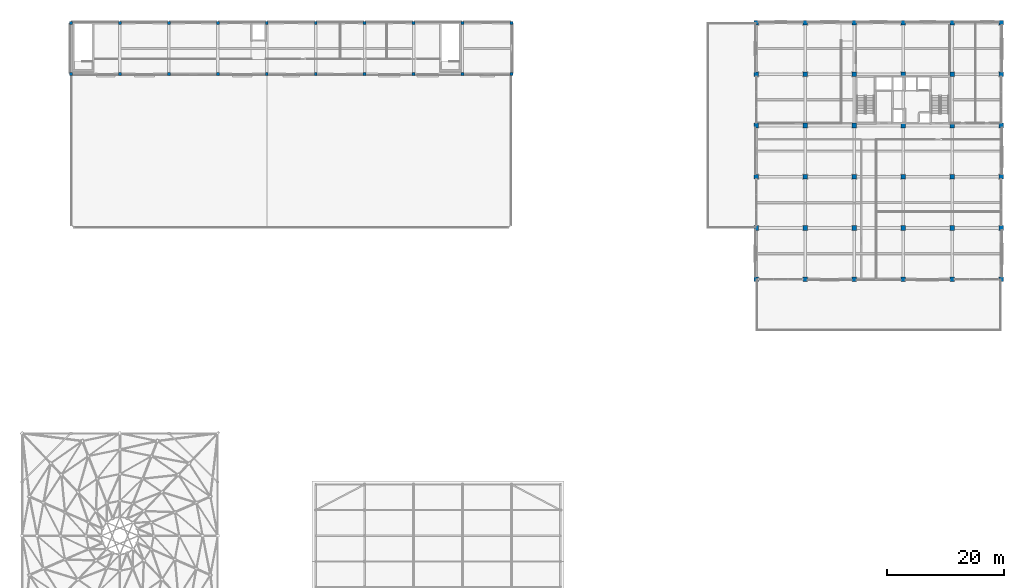
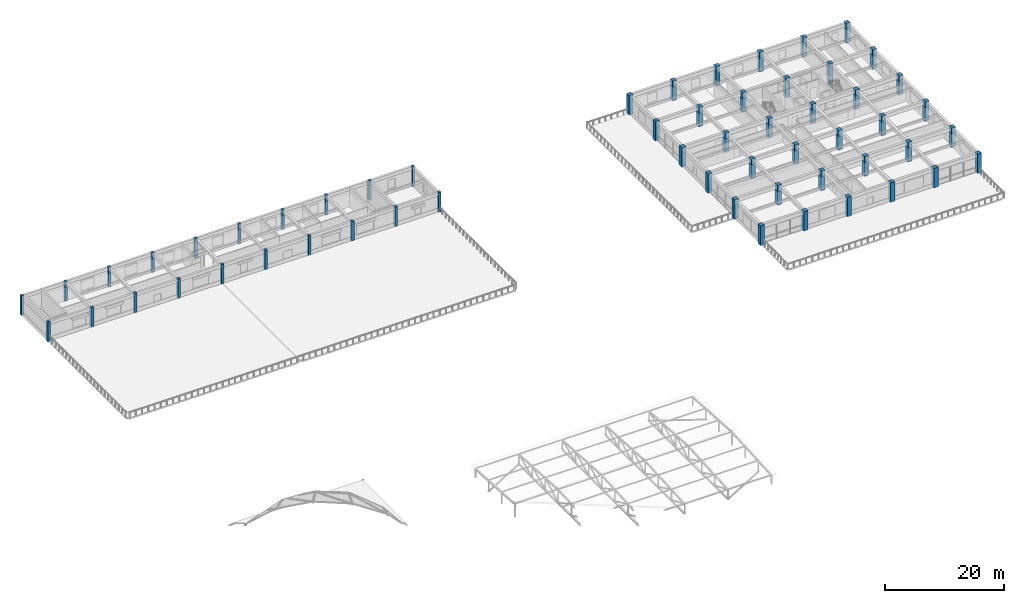
# One storey, part 1 of 49: 56 columns.
"""IFC4 building model written with IfcOpenShell, lengths in metres."""

from ifc_helpers import new_model, si_unit, direction, frame, origin, origin_2d, place, context, subcontext, project, spatial, rectangle, extrude, material, material_profile, profile_set, type_object, element, save


model = new_model("IFC4")

# Units and contexts
model_context = context("Model", 3, precision=1e-05, world=origin(), true_north=direction((0.0, 1.0)))
body_context = subcontext(model_context, "Body", "Model", "MODEL_VIEW")
ifc_project = project(units=[si_unit("LENGTHUNIT", "METRE"), si_unit("AREAUNIT", "SQUARE_METRE"), si_unit("VOLUMEUNIT", "CUBIC_METRE"), si_unit("PLANEANGLEUNIT", "RADIAN"), si_unit("MASSUNIT", "GRAM", prefix="KILO")], contexts=[model_context])

# Site, building, storey
site_placement = place(None, origin())
site = spatial("IfcSite", under=ifc_project, at=site_placement, CompositionType="ELEMENT")
building_placement = place(site_placement, origin())
building = spatial("IfcBuilding", under=site, at=building_placement, Name="Kemercrest Conservatory and Botanical Centre", CompositionType="ELEMENT")
storey_placement = place(building_placement, frame((0.0, 0.0, 13.199951171875)))
storey = spatial("IfcBuildingStorey", under=building, at=storey_placement, Name="L03", CompositionType="ELEMENT", Elevation=13.199951171875)

# Columns
ifc_material_1 = material(Name="Concrete C40/50", Category="concrete")
ifc_material_profile_1 = material_profile(ifc_material_1, rectangle(XDim=0.5, YDim=0.5, at=origin_2d()), Name="RC 500x500")
ifc_profile_set_1 = profile_set([ifc_material_profile_1], Name="Concrete C40/50")
column_type_1 = type_object("IfcColumnType", Name="C-RC50", PredefinedType="COLUMN", material=ifc_profile_set_1)
for number, where, z_axis, x_axis, name in (
    (1, (16.39990234375, 113.60009765625, 0.0), (0.0, 0.0, 1.0), (1.0, 0.0, 0.0), "Terrace Pavilion column 02/N"),
    (2, (16.39990234375, 122.39990234375, 0.0), (0.0, 0.0, 1.0), (1.0, 0.0, 0.0), "Terrace Pavilion column 02/P"),
    (3, (24.800048828125, 113.60009765625, 0.0), (0.0, 0.0, 1.0), (1.0, 0.0, 0.0), "Terrace Pavilion column 03/N"),
    (4, (24.800048828125, 122.39990234375, 0.0), (0.0, 0.0, 1.0), (1.0, 0.0, 0.0), "Terrace Pavilion column 03/P"),
    (5, (33.199951171875, 113.60009765625, 0.0), (0.0, 0.0, 1.0), (1.0, 0.0, 0.0), "Terrace Pavilion column 04/N"),
    (6, (33.199951171875, 122.39990234375, 0.0), (0.0, 0.0, 1.0), (1.0, 0.0, 0.0), "Terrace Pavilion column 04/P"),
    (7, (41.60009765625, 113.60009765625, 0.0), (0.0, 0.0, 1.0), (1.0, 0.0, 0.0), "Terrace Pavilion column 05/N"),
    (8, (41.60009765625, 122.39990234375, 0.0), (0.0, 0.0, 1.0), (1.0, 0.0, 0.0), "Terrace Pavilion column 05/P"),
    (9, (50.0, 113.60009765625, 0.0), (0.0, 0.0, 1.0), (1.0, 0.0, 0.0), "Terrace Pavilion column 06/N"),
    (10, (50.0, 122.39990234375, 0.0), (0.0, 0.0, 1.0), (1.0, 0.0, 0.0), "Terrace Pavilion column 06/P"),
    (11, (58.39990234375, 113.60009765625, 0.0), (0.0, 0.0, 1.0), (1.0, 0.0, 0.0), "Terrace Pavilion column 07/N"),
    (12, (58.39990234375, 122.39990234375, 0.0), (0.0, 0.0, 1.0), (1.0, 0.0, 0.0), "Terrace Pavilion column 07/P"),
    (13, (66.800048828125, 113.60009765625, 0.0), (0.0, 0.0, 1.0), (1.0, 0.0, 0.0), "Terrace Pavilion column 08/N"),
    (14, (66.800048828125, 122.39990234375, 0.0), (0.0, 0.0, 1.0), (1.0, 0.0, 0.0), "Terrace Pavilion column 08/P"),
    (15, (75.199951171875, 113.60009765625, 0.0), (0.0, 0.0, 1.0), (1.0, 0.0, 0.0), "Terrace Pavilion column 09/N"),
    (16, (75.199951171875, 122.39990234375, 0.0), (0.0, 0.0, 1.0), (1.0, 0.0, 0.0), "Terrace Pavilion column 09/P"),
    (17, (83.60009765625, 113.60009765625, 0.0), (0.0, 0.0, 1.0), (1.0, 0.0, 0.0), "Terrace Pavilion column 10/N"),
    (18, (83.60009765625, 122.39990234375, 0.0), (0.0, 0.0, 1.0), (1.0, 0.0, 0.0), "Terrace Pavilion column 10/P"),
    (19, (92.0, 113.60009765625, 0.0), (0.0, 0.0, 1.0), (1.0, 0.0, 0.0), "Terrace Pavilion column 11/N"),
    (20, (92.0, 122.39990234375, 0.0), (0.0, 0.0, 1.0), (1.0, 0.0, 0.0), "Terrace Pavilion column 11/P"),
):
    element("IfcColumn", number, at=place(storey_placement, frame(where, z_axis=z_axis, x_axis=x_axis)), inside=storey, type_object=column_type_1, Name=name, PredefinedType="COLUMN", context=body_context, shape_type="SweptSolid", body=[
        extrude(rectangle(XDim=0.5, YDim=0.5, at=origin_2d()), origin(), (0.0, 0.0, 1.0), 4.0),
    ])
ifc_material_2 = material(Name="Concrete C50/60", Category="concrete")
ifc_material_profile_2 = material_profile(ifc_material_2, rectangle(XDim=0.800048828125, YDim=0.800048828125, at=origin_2d()), Name="RC 800x800")
ifc_profile_set_2 = profile_set([ifc_material_profile_2], Name="Concrete C50/60")
column_type_2 = type_object("IfcColumnType", Name="C-RC80", PredefinedType="COLUMN", material=ifc_profile_set_2)
for number, where, z_axis, x_axis, name in (
    (21, (134.0, 78.39990234375, 0.0), (0.0, 0.0, 1.0), (1.0, 0.0, 0.0), "Tower column C-RC80 16/J"),
    (22, (134.0, 87.199951171875, 0.0), (0.0, 0.0, 1.0), (1.0, 0.0, 0.0), "Tower column C-RC80 16/K"),
    (23, (134.0, 96.0, 0.0), (0.0, 0.0, 1.0), (1.0, 0.0, 0.0), "Tower column C-RC80 16/L"),
    (24, (134.0, 104.800048828125, 0.0), (0.0, 0.0, 1.0), (1.0, 0.0, 0.0), "Tower column C-RC80 16/M"),
    (25, (134.0, 113.60009765625, 0.0), (0.0, 0.0, 1.0), (1.0, 0.0, 0.0), "Tower column C-RC80 16/N"),
    (26, (134.0, 122.39990234375, 0.0), (0.0, 0.0, 1.0), (1.0, 0.0, 0.0), "Tower column C-RC80 16/P"),
    (27, (142.39990234375, 78.39990234375, 0.0), (0.0, 0.0, 1.0), (1.0, 0.0, 0.0), "Tower column C-RC80 17/J"),
    (28, (142.39990234375, 87.199951171875, 0.0), (0.0, 0.0, 1.0), (1.0, 0.0, 0.0), "Tower column C-RC80 17/K"),
    (29, (142.39990234375, 96.0, 0.0), (0.0, 0.0, 1.0), (1.0, 0.0, 0.0), "Tower column C-RC80 17/L"),
    (30, (142.39990234375, 104.800048828125, 0.0), (0.0, 0.0, 1.0), (1.0, 0.0, 0.0), "Tower column C-RC80 17/M"),
    (31, (142.39990234375, 113.60009765625, 0.0), (0.0, 0.0, 1.0), (1.0, 0.0, 0.0), "Tower column C-RC80 17/N"),
    (32, (142.39990234375, 122.39990234375, 0.0), (0.0, 0.0, 1.0), (1.0, 0.0, 0.0), "Tower column C-RC80 17/P"),
    (33, (150.800048828125, 78.39990234375, 0.0), (0.0, 0.0, 1.0), (1.0, 0.0, 0.0), "Tower column C-RC80 18/J"),
    (34, (150.800048828125, 87.199951171875, 0.0), (0.0, 0.0, 1.0), (1.0, 0.0, 0.0), "Tower column C-RC80 18/K"),
    (35, (150.800048828125, 96.0, 0.0), (0.0, 0.0, 1.0), (1.0, 0.0, 0.0), "Tower column C-RC80 18/L"),
    (36, (150.800048828125, 104.800048828125, 0.0), (0.0, 0.0, 1.0), (1.0, 0.0, 0.0), "Tower column C-RC80 18/M"),
    (37, (150.800048828125, 113.60009765625, 0.0), (0.0, 0.0, 1.0), (1.0, 0.0, 0.0), "Tower column C-RC80 18/N"),
    (38, (150.800048828125, 122.39990234375, 0.0), (0.0, 0.0, 1.0), (1.0, 0.0, 0.0), "Tower column C-RC80 18/P"),
    (39, (159.199951171875, 78.39990234375, 0.0), (0.0, 0.0, 1.0), (1.0, 0.0, 0.0), "Tower column C-RC80 19/J"),
    (40, (159.199951171875, 87.199951171875, 0.0), (0.0, 0.0, 1.0), (1.0, 0.0, 0.0), "Tower column C-RC80 19/K"),
    (41, (159.199951171875, 96.0, 0.0), (0.0, 0.0, 1.0), (1.0, 0.0, 0.0), "Tower column C-RC80 19/L"),
    (42, (159.199951171875, 104.800048828125, 0.0), (0.0, 0.0, 1.0), (1.0, 0.0, 0.0), "Tower column C-RC80 19/M"),
    (43, (159.199951171875, 113.60009765625, 0.0), (0.0, 0.0, 1.0), (1.0, 0.0, 0.0), "Tower column C-RC80 19/N"),
    (44, (159.199951171875, 122.39990234375, 0.0), (0.0, 0.0, 1.0), (1.0, 0.0, 0.0), "Tower column C-RC80 19/P"),
    (45, (167.60009765625, 78.39990234375, 0.0), (0.0, 0.0, 1.0), (1.0, 0.0, 0.0), "Tower column C-RC80 20/J"),
    (46, (167.60009765625, 87.199951171875, 0.0), (0.0, 0.0, 1.0), (1.0, 0.0, 0.0), "Tower column C-RC80 20/K"),
    (47, (167.60009765625, 96.0, 0.0), (0.0, 0.0, 1.0), (1.0, 0.0, 0.0), "Tower column C-RC80 20/L"),
    (48, (167.60009765625, 104.800048828125, 0.0), (0.0, 0.0, 1.0), (1.0, 0.0, 0.0), "Tower column C-RC80 20/M"),
    (49, (167.60009765625, 113.60009765625, 0.0), (0.0, 0.0, 1.0), (1.0, 0.0, 0.0), "Tower column C-RC80 20/N"),
    (50, (167.60009765625, 122.39990234375, 0.0), (0.0, 0.0, 1.0), (1.0, 0.0, 0.0), "Tower column C-RC80 20/P"),
    (51, (176.0, 78.39990234375, 0.0), (0.0, 0.0, 1.0), (1.0, 0.0, 0.0), "Tower column C-RC80 21/J"),
    (52, (176.0, 87.199951171875, 0.0), (0.0, 0.0, 1.0), (1.0, 0.0, 0.0), "Tower column C-RC80 21/K"),
    (53, (176.0, 96.0, 0.0), (0.0, 0.0, 1.0), (1.0, 0.0, 0.0), "Tower column C-RC80 21/L"),
    (54, (176.0, 104.800048828125, 0.0), (0.0, 0.0, 1.0), (1.0, 0.0, 0.0), "Tower column C-RC80 21/M"),
    (55, (176.0, 113.60009765625, 0.0), (0.0, 0.0, 1.0), (1.0, 0.0, 0.0), "Tower column C-RC80 21/N"),
    (56, (176.0, 122.39990234375, 0.0), (0.0, 0.0, 1.0), (1.0, 0.0, 0.0), "Tower column C-RC80 21/P"),
):
    element("IfcColumn", number, at=place(storey_placement, frame(where, z_axis=z_axis, x_axis=x_axis)), inside=storey, type_object=column_type_2, Name=name, PredefinedType="COLUMN", context=body_context, shape_type="SweptSolid", body=[
        extrude(rectangle(XDim=0.800048828125, YDim=0.800048828125, at=origin_2d()), origin(), (0.0, 0.0, 1.0), 4.0),
    ])

save(model, "model.ifc")
